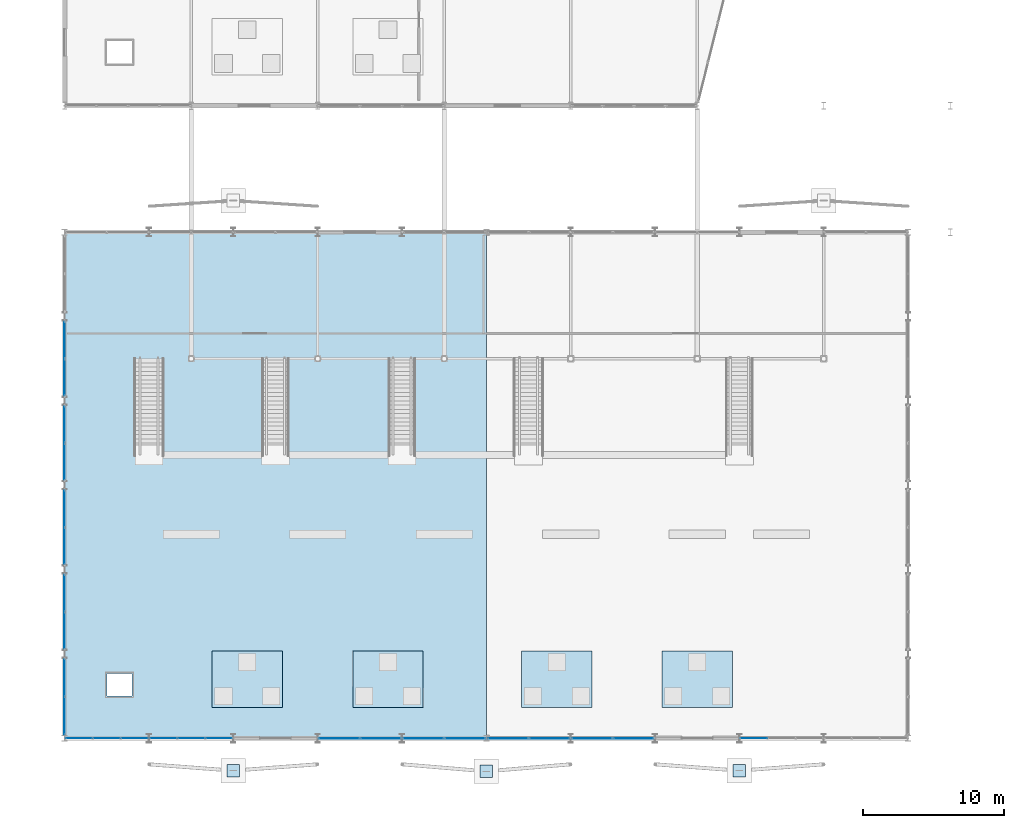
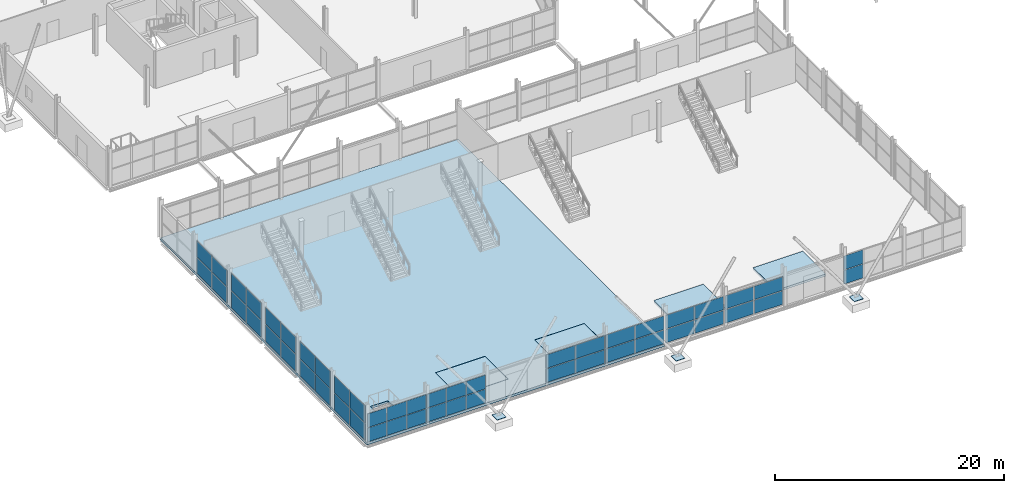
# One storey, part 101 of 140: 53 plates, 5 slabs, 12 elements without a shape of their own.
"""IFC4 building model written with IfcOpenShell, lengths in metres."""

from ifc_helpers import new_model, si_unit, direction, frame, origin, origin_2d, place, context, subcontext, project, spatial, polyline, rectangle, outline, extrude, material, layer, layer_set, type_object, element, aggregate, save


model = new_model("IFC4")

# Units and contexts
model_context = context("Model", 3, precision=1e-05, world=origin(), true_north=direction((0.0, 1.0)))
body_context = subcontext(model_context, "Body", "Model", "MODEL_VIEW")
ifc_project = project(units=[si_unit("LENGTHUNIT", "METRE"), si_unit("AREAUNIT", "SQUARE_METRE"), si_unit("VOLUMEUNIT", "CUBIC_METRE"), si_unit("PLANEANGLEUNIT", "RADIAN"), si_unit("MASSUNIT", "GRAM", prefix="KILO")], contexts=[model_context])

# Site, building, storey
site_placement = place(None, origin())
site = spatial("IfcSite", under=ifc_project, at=site_placement, CompositionType="ELEMENT")
building_placement = place(site_placement, origin())
building = spatial("IfcBuilding", under=site, at=building_placement, Name="Deido Ridge Mobility Hub", CompositionType="ELEMENT")
storey_placement = place(building_placement, origin())
storey = spatial("IfcBuildingStorey", under=building, at=storey_placement, Name="L00", CompositionType="ELEMENT", Elevation=0.0)

# Curtain wall, plates
ifc_material_1 = material(Name="Anodised aluminium EN AW-6063 T6", Category="aluminium")
ifc_layer_1 = layer(ifc_material_1, 0.1650390625, Name="Anodised aluminium EN AW-6063 T6")
ifc_layer_set_1 = layer_set([ifc_layer_1], Name="Anodised aluminium EN AW-6063 T6")
curtain_wall_type_1 = type_object("IfcCurtainWallType", Name="CW-UF-1", PredefinedType="USERDEFINED", material=ifc_layer_set_1)
curtain_wall_1_placement = place(storey_placement, origin())
curtain_wall_1 = element("IfcCurtainWall", 1, at=curtain_wall_1_placement, inside=storey, type_object=curtain_wall_type_1, Name="Unitised curtain wall CW1", ObjectType="UNITISED FACADE", PredefinedType="USERDEFINED")
ifc_material_2 = material(Name="Laminated solar-control low-E glass", Category="glass")
ifc_layer_2 = layer(ifc_material_2, 0.02587890625, Name="Laminated solar-control low-E glass")
ifc_layer_set_2 = layer_set([ifc_layer_2], Name="Laminated solar-control low-E glass")
plate_type_1 = type_object("IfcPlateType", Name="PLT-CWP-26", PredefinedType="CURTAIN_PANEL", material=ifc_layer_set_2)
plate_1_placement = place(storey_placement, frame((1.021240234375, 0.0, 0.0498046875), z_axis=(0.0, 0.0, 1.0), x_axis=(1.0, 0.0, 0.0)))
plate_1 = element("IfcPlate", 2, at=plate_1_placement, type_object=plate_type_1, Name="CW1 panel 1.1", PredefinedType="CURTAIN_PANEL", context=body_context, shape_type="SweptSolid", body=[
    extrude(rectangle(XDim=1.91845703125, YDim=0.02587890625, at=origin_2d()), origin(), (0.0, 0.0, 1.0), 1.467529296875),
])
plate_2_placement = place(storey_placement, frame((1.021240234375, 0.0, 1.5673828125), z_axis=(0.0, 0.0, 1.0), x_axis=(1.0, 0.0, 0.0)))
plate_2 = element("IfcPlate", 3, at=plate_2_placement, type_object=plate_type_1, Name="CW1 panel 1.2", PredefinedType="CURTAIN_PANEL", context=body_context, shape_type="SweptSolid", body=[
    extrude(rectangle(XDim=1.91845703125, YDim=0.02587890625, at=origin_2d()), origin(), (0.0, 0.0, 1.0), 1.467529296875),
])
plate_3_placement = place(storey_placement, frame((3.002197265625, 0.0, 0.0498046875), z_axis=(0.0, 0.0, 1.0), x_axis=(1.0, 0.0, 0.0)))
plate_3 = element("IfcPlate", 4, at=plate_3_placement, type_object=plate_type_1, Name="CW1 panel 2.1", PredefinedType="CURTAIN_PANEL", context=body_context, shape_type="SweptSolid", body=[
    extrude(rectangle(XDim=1.943359375, YDim=0.02587890625, at=origin_2d()), origin(), (0.0, 0.0, 1.0), 1.467529296875),
])
plate_4_placement = place(storey_placement, frame((3.002197265625, 0.0, 1.5673828125), z_axis=(0.0, 0.0, 1.0), x_axis=(1.0, 0.0, 0.0)))
plate_4 = element("IfcPlate", 5, at=plate_4_placement, type_object=plate_type_1, Name="CW1 panel 2.2", PredefinedType="CURTAIN_PANEL", context=body_context, shape_type="SweptSolid", body=[
    extrude(rectangle(XDim=1.943359375, YDim=0.02587890625, at=origin_2d()), origin(), (0.0, 0.0, 1.0), 1.467529296875),
])
plate_5_placement = place(storey_placement, frame((4.983154296875, 0.0, 0.0498046875), z_axis=(0.0, 0.0, 1.0), x_axis=(1.0, 0.0, 0.0)))
plate_5 = element("IfcPlate", 6, at=plate_5_placement, type_object=plate_type_1, Name="CW1 panel 3.1", PredefinedType="CURTAIN_PANEL", context=body_context, shape_type="SweptSolid", body=[
    extrude(rectangle(XDim=1.91845703125, YDim=0.02587890625, at=origin_2d()), origin(), (0.0, 0.0, 1.0), 1.467529296875),
])
plate_6_placement = place(storey_placement, frame((4.983154296875, 0.0, 1.5673828125), z_axis=(0.0, 0.0, 1.0), x_axis=(1.0, 0.0, 0.0)))
plate_6 = element("IfcPlate", 7, at=plate_6_placement, type_object=plate_type_1, Name="CW1 panel 3.2", PredefinedType="CURTAIN_PANEL", context=body_context, shape_type="SweptSolid", body=[
    extrude(rectangle(XDim=1.91845703125, YDim=0.02587890625, at=origin_2d()), origin(), (0.0, 0.0, 1.0), 1.467529296875),
])
aggregate(curtain_wall_1, [plate_1, plate_2, plate_3, plate_4, plate_5, plate_6])

curtain_wall_2_placement = place(storey_placement, origin())
curtain_wall_2 = element("IfcCurtainWall", 8, at=curtain_wall_2_placement, inside=storey, type_object=curtain_wall_type_1, Name="Unitised curtain wall CW1", ObjectType="UNITISED FACADE", PredefinedType="USERDEFINED")
plate_7_placement = place(storey_placement, frame((49.017578125, 0.0, 0.050048828125), z_axis=(0.0, 0.0, 1.0), x_axis=(1.0, 0.0, 0.0)))
plate_7 = element("IfcPlate", 9, at=plate_7_placement, type_object=plate_type_1, Name="CW1 panel 1.1", PredefinedType="CURTAIN_PANEL", context=body_context, shape_type="SweptSolid", body=[
    extrude(rectangle(XDim=1.919921875, YDim=0.02587890625, at=origin_2d()), origin(), (0.0, 0.0, 1.0), 1.47509765625),
])
plate_8_placement = place(storey_placement, frame((49.017578125, 0.0, 1.574951171875), z_axis=(0.0, 0.0, 1.0), x_axis=(1.0, 0.0, 0.0)))
plate_8 = element("IfcPlate", 10, at=plate_8_placement, type_object=plate_type_1, Name="CW1 panel 1.2", PredefinedType="CURTAIN_PANEL", context=body_context, shape_type="SweptSolid", body=[
    extrude(rectangle(XDim=1.919921875, YDim=0.02587890625, at=origin_2d()), origin(), (0.0, 0.0, 1.0), 1.47509765625),
])
aggregate(curtain_wall_2, [plate_7, plate_8])

ifc_layer_3 = layer(ifc_material_1, 0.179931640625, Name="Anodised aluminium EN AW-6063 T6")
ifc_layer_set_3 = layer_set([ifc_layer_3], Name="Anodised aluminium EN AW-6063 T6")
curtain_wall_type_2 = type_object("IfcCurtainWallType", Name="CW-UF-2", PredefinedType="USERDEFINED", material=ifc_layer_set_3)
curtain_wall_3_placement = place(storey_placement, origin())
curtain_wall_3 = element("IfcCurtainWall", 11, at=curtain_wall_3_placement, inside=storey, type_object=curtain_wall_type_2, Name="Unitised curtain wall CW2", ObjectType="UNITISED FACADE", PredefinedType="USERDEFINED")
ifc_layer_4 = layer(ifc_material_2, 0.029052734375, Name="Laminated solar-control low-E glass")
ifc_layer_set_4 = layer_set([ifc_layer_4], Name="Laminated solar-control low-E glass")
plate_type_2 = type_object("IfcPlateType", Name="PLT-CWP-29", PredefinedType="CURTAIN_PANEL", material=ifc_layer_set_4)
plate_9_placement = place(storey_placement, frame((7.018798828125, 0.0, 0.054931640625), z_axis=(0.0, 0.0, 1.0), x_axis=(1.0, 0.0, 0.0)))
plate_9 = element("IfcPlate", 12, at=plate_9_placement, type_object=plate_type_2, Name="CW2 panel 1.1", PredefinedType="CURTAIN_PANEL", context=body_context, shape_type="SweptSolid", body=[
    extrude(rectangle(XDim=1.912353515625, YDim=0.029052734375, at=origin_2d()), origin(), (0.0, 0.0, 1.0), 1.4599609375),
])
plate_10_placement = place(storey_placement, frame((7.018798828125, 0.0, 1.570068359375), z_axis=(0.0, 0.0, 1.0), x_axis=(1.0, 0.0, 0.0)))
plate_10 = element("IfcPlate", 13, at=plate_10_placement, type_object=plate_type_2, Name="CW2 panel 1.2", PredefinedType="CURTAIN_PANEL", context=body_context, shape_type="SweptSolid", body=[
    extrude(rectangle(XDim=1.912353515625, YDim=0.029052734375, at=origin_2d()), origin(), (0.0, 0.0, 1.0), 1.4599609375),
])
plate_11_placement = place(storey_placement, frame((9.0, 0.0, 0.054931640625), z_axis=(0.0, 0.0, 1.0), x_axis=(1.0, 0.0, 0.0)))
plate_11 = element("IfcPlate", 14, at=plate_11_placement, type_object=plate_type_2, Name="CW2 panel 2.1", PredefinedType="CURTAIN_PANEL", context=body_context, shape_type="SweptSolid", body=[
    extrude(rectangle(XDim=1.93994140625, YDim=0.029052734375, at=origin_2d()), origin(), (0.0, 0.0, 1.0), 1.4599609375),
])
plate_12_placement = place(storey_placement, frame((9.0, 0.0, 1.570068359375), z_axis=(0.0, 0.0, 1.0), x_axis=(1.0, 0.0, 0.0)))
plate_12 = element("IfcPlate", 15, at=plate_12_placement, type_object=plate_type_2, Name="CW2 panel 2.2", PredefinedType="CURTAIN_PANEL", context=body_context, shape_type="SweptSolid", body=[
    extrude(rectangle(XDim=1.93994140625, YDim=0.029052734375, at=origin_2d()), origin(), (0.0, 0.0, 1.0), 1.4599609375),
])
plate_13_placement = place(storey_placement, frame((10.981201171875, 0.0, 0.054931640625), z_axis=(0.0, 0.0, 1.0), x_axis=(1.0, 0.0, 0.0)))
plate_13 = element("IfcPlate", 16, at=plate_13_placement, type_object=plate_type_2, Name="CW2 panel 3.1", PredefinedType="CURTAIN_PANEL", context=body_context, shape_type="SweptSolid", body=[
    extrude(rectangle(XDim=1.912353515625, YDim=0.029052734375, at=origin_2d()), origin(), (0.0, 0.0, 1.0), 1.4599609375),
])
plate_14_placement = place(storey_placement, frame((10.981201171875, 0.0, 1.570068359375), z_axis=(0.0, 0.0, 1.0), x_axis=(1.0, 0.0, 0.0)))
plate_14 = element("IfcPlate", 17, at=plate_14_placement, type_object=plate_type_2, Name="CW2 panel 3.2", PredefinedType="CURTAIN_PANEL", context=body_context, shape_type="SweptSolid", body=[
    extrude(rectangle(XDim=1.912353515625, YDim=0.029052734375, at=origin_2d()), origin(), (0.0, 0.0, 1.0), 1.4599609375),
])
aggregate(curtain_wall_3, [plate_9, plate_10, plate_11, plate_12, plate_13, plate_14])

ifc_layer_5 = layer(ifc_material_1, 0.2099609375, Name="Anodised aluminium EN AW-6063 T6")
ifc_layer_set_5 = layer_set([ifc_layer_5], Name="Anodised aluminium EN AW-6063 T6")
curtain_wall_type_3 = type_object("IfcCurtainWallType", Name="CW-UF-4", PredefinedType="USERDEFINED", material=ifc_layer_set_5)
curtain_wall_4_placement = place(storey_placement, origin())
curtain_wall_4 = element("IfcCurtainWall", 18, at=curtain_wall_4_placement, inside=storey, type_object=curtain_wall_type_3, Name="Unitised curtain wall CW4", ObjectType="UNITISED FACADE", PredefinedType="USERDEFINED")
ifc_layer_6 = layer(ifc_material_2, 0.031005859375, Name="Laminated solar-control low-E glass")
ifc_layer_set_6 = layer_set([ifc_layer_6], Name="Laminated solar-control low-E glass")
plate_type_3 = type_object("IfcPlateType", Name="PLT-CWP-31", PredefinedType="CURTAIN_PANEL", material=ifc_layer_set_6)
plate_15_placement = place(storey_placement, frame((0.0, 1.595947265625, 0.06005859375), z_axis=(0.0, 0.0, 1.0), x_axis=(0.0, 1.0, 0.0)))
plate_15 = element("IfcPlate", 19, at=plate_15_placement, type_object=plate_type_3, Name="CW4 panel 1.1", PredefinedType="CURTAIN_PANEL", context=body_context, shape_type="SweptSolid", body=[
    extrude(rectangle(XDim=2.656005859375, YDim=0.031005859375, at=origin_2d()), origin(), (0.0, 0.0, 1.0), 1.81005859375),
])
plate_16_placement = place(storey_placement, frame((0.0, 1.595947265625, 1.929931640625), z_axis=(0.0, 0.0, 1.0), x_axis=(0.0, 1.0, 0.0)))
plate_16 = element("IfcPlate", 20, at=plate_16_placement, type_object=plate_type_3, Name="CW4 panel 1.2", PredefinedType="CURTAIN_PANEL", context=body_context, shape_type="SweptSolid", body=[
    extrude(rectangle(XDim=2.656005859375, YDim=0.031005859375, at=origin_2d()), origin(), (0.0, 0.0, 1.0), 1.81005859375),
])
plate_17_placement = place(storey_placement, frame((0.0, 4.31201171875, 0.06005859375), z_axis=(0.0, 0.0, 1.0), x_axis=(0.0, 1.0, 0.0)))
plate_17 = element("IfcPlate", 21, at=plate_17_placement, type_object=plate_type_3, Name="CW4 panel 2.1", PredefinedType="CURTAIN_PANEL", context=body_context, shape_type="SweptSolid", body=[
    extrude(rectangle(XDim=2.656005859375, YDim=0.031005859375, at=origin_2d()), origin(), (0.0, 0.0, 1.0), 1.81005859375),
])
plate_18_placement = place(storey_placement, frame((0.0, 4.31201171875, 1.929931640625), z_axis=(0.0, 0.0, 1.0), x_axis=(0.0, 1.0, 0.0)))
plate_18 = element("IfcPlate", 22, at=plate_18_placement, type_object=plate_type_3, Name="CW4 panel 2.2", PredefinedType="CURTAIN_PANEL", context=body_context, shape_type="SweptSolid", body=[
    extrude(rectangle(XDim=2.656005859375, YDim=0.031005859375, at=origin_2d()), origin(), (0.0, 0.0, 1.0), 1.81005859375),
])
aggregate(curtain_wall_4, [plate_15, plate_16, plate_17, plate_18])

curtain_wall_5_placement = place(storey_placement, origin())
curtain_wall_5 = element("IfcCurtainWall", 23, at=curtain_wall_5_placement, inside=storey, type_object=curtain_wall_type_3, Name="Unitised curtain wall CW4", ObjectType="UNITISED FACADE", PredefinedType="USERDEFINED")
ifc_layer_7 = layer(ifc_material_2, 0.032958984375, Name="Laminated solar-control low-E glass")
ifc_layer_set_7 = layer_set([ifc_layer_7], Name="Laminated solar-control low-E glass")
plate_type_4 = type_object("IfcPlateType", Name="PLT-CWP-33", PredefinedType="CURTAIN_PANEL", material=ifc_layer_set_7)
plate_19_placement = place(storey_placement, frame((19.520263671875, 0.0, 0.06494140625), z_axis=(0.0, 0.0, 1.0), x_axis=(1.0, 0.0, 0.0)))
plate_19 = element("IfcPlate", 24, at=plate_19_placement, type_object=plate_type_4, Name="CW4 panel 1.1", PredefinedType="CURTAIN_PANEL", context=body_context, shape_type="SweptSolid", body=[
    extrude(rectangle(XDim=2.894775390625, YDim=0.032958984375, at=origin_2d()), origin(), (0.0, 0.0, 1.0), 1.445068359375),
])
plate_20_placement = place(storey_placement, frame((19.520263671875, 0.0, 1.5751953125), z_axis=(0.0, 0.0, 1.0), x_axis=(1.0, 0.0, 0.0)))
plate_20 = element("IfcPlate", 25, at=plate_20_placement, type_object=plate_type_4, Name="CW4 panel 1.2", PredefinedType="CURTAIN_PANEL", context=body_context, shape_type="SweptSolid", body=[
    extrude(rectangle(XDim=2.894775390625, YDim=0.032958984375, at=origin_2d()), origin(), (0.0, 0.0, 1.0), 1.445068359375),
])
plate_21_placement = place(storey_placement, frame((22.479736328125, 0.0, 0.06494140625), z_axis=(0.0, 0.0, 1.0), x_axis=(1.0, 0.0, 0.0)))
plate_21 = element("IfcPlate", 26, at=plate_21_placement, type_object=plate_type_4, Name="CW4 panel 2.1", PredefinedType="CURTAIN_PANEL", context=body_context, shape_type="SweptSolid", body=[
    extrude(rectangle(XDim=2.894775390625, YDim=0.032958984375, at=origin_2d()), origin(), (0.0, 0.0, 1.0), 1.445068359375),
])
plate_22_placement = place(storey_placement, frame((22.479736328125, 0.0, 1.5751953125), z_axis=(0.0, 0.0, 1.0), x_axis=(1.0, 0.0, 0.0)))
plate_22 = element("IfcPlate", 27, at=plate_22_placement, type_object=plate_type_4, Name="CW4 panel 2.2", PredefinedType="CURTAIN_PANEL", context=body_context, shape_type="SweptSolid", body=[
    extrude(rectangle(XDim=2.894775390625, YDim=0.032958984375, at=origin_2d()), origin(), (0.0, 0.0, 1.0), 1.445068359375),
])
aggregate(curtain_wall_5, [plate_19, plate_20, plate_21, plate_22])

ifc_layer_8 = layer(ifc_material_1, 0.22509765625, Name="Anodised aluminium EN AW-6063 T6")
ifc_layer_set_8 = layer_set([ifc_layer_8], Name="Anodised aluminium EN AW-6063 T6")
curtain_wall_type_4 = type_object("IfcCurtainWallType", Name="CW-UF-5", PredefinedType="USERDEFINED", material=ifc_layer_set_8)
curtain_wall_6_placement = place(storey_placement, origin())
curtain_wall_6 = element("IfcCurtainWall", 28, at=curtain_wall_6_placement, inside=storey, type_object=curtain_wall_type_4, Name="Unitised curtain wall CW5", ObjectType="UNITISED FACADE", PredefinedType="USERDEFINED")
plate_23_placement = place(storey_placement, frame((0.0, 7.666259765625, 0.06494140625), z_axis=(0.0, 0.0, 1.0), x_axis=(0.0, 1.0, 0.0)))
plate_23 = element("IfcPlate", 29, at=plate_23_placement, type_object=plate_type_4, Name="CW5 panel 1.1", PredefinedType="CURTAIN_PANEL", context=body_context, shape_type="SweptSolid", body=[
    extrude(rectangle(XDim=2.6025390625, YDim=0.032958984375, at=origin_2d()), origin(), (0.0, 0.0, 1.0), 1.802490234375),
])
plate_24_placement = place(storey_placement, frame((0.0, 7.666259765625, 1.9326171875), z_axis=(0.0, 0.0, 1.0), x_axis=(0.0, 1.0, 0.0)))
plate_24 = element("IfcPlate", 30, at=plate_24_placement, type_object=plate_type_4, Name="CW5 panel 1.2", PredefinedType="CURTAIN_PANEL", context=body_context, shape_type="SweptSolid", body=[
    extrude(rectangle(XDim=2.6025390625, YDim=0.032958984375, at=origin_2d()), origin(), (0.0, 0.0, 1.0), 1.802490234375),
])
plate_25_placement = place(storey_placement, frame((0.0, 10.333740234375, 0.06494140625), z_axis=(0.0, 0.0, 1.0), x_axis=(0.0, 1.0, 0.0)))
plate_25 = element("IfcPlate", 31, at=plate_25_placement, type_object=plate_type_4, Name="CW5 panel 2.1", PredefinedType="CURTAIN_PANEL", context=body_context, shape_type="SweptSolid", body=[
    extrude(rectangle(XDim=2.6025390625, YDim=0.032958984375, at=origin_2d()), origin(), (0.0, 0.0, 1.0), 1.802490234375),
])
plate_26_placement = place(storey_placement, frame((0.0, 10.333740234375, 1.9326171875), z_axis=(0.0, 0.0, 1.0), x_axis=(0.0, 1.0, 0.0)))
plate_26 = element("IfcPlate", 32, at=plate_26_placement, type_object=plate_type_4, Name="CW5 panel 2.2", PredefinedType="CURTAIN_PANEL", context=body_context, shape_type="SweptSolid", body=[
    extrude(rectangle(XDim=2.6025390625, YDim=0.032958984375, at=origin_2d()), origin(), (0.0, 0.0, 1.0), 1.802490234375),
])
aggregate(curtain_wall_6, [plate_23, plate_24, plate_25, plate_26])

curtain_wall_7_placement = place(storey_placement, origin())
curtain_wall_7 = element("IfcCurtainWall", 33, at=curtain_wall_7_placement, inside=storey, type_object=curtain_wall_type_4, Name="Unitised curtain wall CW5", ObjectType="UNITISED FACADE", PredefinedType="USERDEFINED")
ifc_layer_9 = layer(ifc_material_2, 0.034912109375, Name="Laminated solar-control low-E glass")
ifc_layer_set_9 = layer_set([ifc_layer_9], Name="Laminated solar-control low-E glass")
plate_type_5 = type_object("IfcPlateType", Name="PLT-CWP-35", PredefinedType="CURTAIN_PANEL", material=ifc_layer_set_9)
plate_27_placement = place(storey_placement, frame((25.520263671875, 0.0, 0.06982421875), z_axis=(0.0, 0.0, 1.0), x_axis=(1.0, 0.0, 0.0)))
plate_27 = element("IfcPlate", 34, at=plate_27_placement, type_object=plate_type_5, Name="CW5 panel 1.1", PredefinedType="CURTAIN_PANEL", context=body_context, shape_type="SweptSolid", body=[
    extrude(rectangle(XDim=2.885009765625, YDim=0.034912109375, at=origin_2d()), origin(), (0.0, 0.0, 1.0), 1.445068359375),
])
plate_28_placement = place(storey_placement, frame((25.520263671875, 0.0, 1.5849609375), z_axis=(0.0, 0.0, 1.0), x_axis=(1.0, 0.0, 0.0)))
plate_28 = element("IfcPlate", 35, at=plate_28_placement, type_object=plate_type_5, Name="CW5 panel 1.2", PredefinedType="CURTAIN_PANEL", context=body_context, shape_type="SweptSolid", body=[
    extrude(rectangle(XDim=2.885009765625, YDim=0.034912109375, at=origin_2d()), origin(), (0.0, 0.0, 1.0), 1.445068359375),
])
plate_29_placement = place(storey_placement, frame((28.475341796875, 0.0, 0.06982421875), z_axis=(0.0, 0.0, 1.0), x_axis=(1.0, 0.0, 0.0)))
plate_29 = element("IfcPlate", 36, at=plate_29_placement, type_object=plate_type_5, Name="CW5 panel 2.1", PredefinedType="CURTAIN_PANEL", context=body_context, shape_type="SweptSolid", body=[
    extrude(rectangle(XDim=2.885009765625, YDim=0.034912109375, at=origin_2d()), origin(), (0.0, 0.0, 1.0), 1.445068359375),
])
plate_30_placement = place(storey_placement, frame((28.475341796875, 0.0, 1.5849609375), z_axis=(0.0, 0.0, 1.0), x_axis=(1.0, 0.0, 0.0)))
plate_30 = element("IfcPlate", 37, at=plate_30_placement, type_object=plate_type_5, Name="CW5 panel 2.2", PredefinedType="CURTAIN_PANEL", context=body_context, shape_type="SweptSolid", body=[
    extrude(rectangle(XDim=2.885009765625, YDim=0.034912109375, at=origin_2d()), origin(), (0.0, 0.0, 1.0), 1.445068359375),
])
aggregate(curtain_wall_7, [plate_27, plate_28, plate_29, plate_30])

ifc_layer_10 = layer(ifc_material_1, 0.239990234375, Name="Anodised aluminium EN AW-6063 T6")
ifc_layer_set_10 = layer_set([ifc_layer_10], Name="Anodised aluminium EN AW-6063 T6")
curtain_wall_type_5 = type_object("IfcCurtainWallType", Name="CW-UF-6", PredefinedType="USERDEFINED", material=ifc_layer_set_10)
curtain_wall_8_placement = place(storey_placement, origin())
curtain_wall_8 = element("IfcCurtainWall", 38, at=curtain_wall_8_placement, inside=storey, type_object=curtain_wall_type_5, Name="Unitised curtain wall CW6", ObjectType="UNITISED FACADE", PredefinedType="USERDEFINED")
plate_31_placement = place(storey_placement, frame((0.0, 13.66748046875, 0.070068359375), z_axis=(0.0, 0.0, 1.0), x_axis=(0.0, 1.0, 0.0)))
plate_31 = element("IfcPlate", 39, at=plate_31_placement, type_object=plate_type_5, Name="CW6 panel 1.1", PredefinedType="CURTAIN_PANEL", context=body_context, shape_type="SweptSolid", body=[
    extrude(rectangle(XDim=2.594970703125, YDim=0.034912109375, at=origin_2d()), origin(), (0.0, 0.0, 1.0), 1.794921875),
])
plate_32_placement = place(storey_placement, frame((0.0, 13.66748046875, 1.93505859375), z_axis=(0.0, 0.0, 1.0), x_axis=(0.0, 1.0, 0.0)))
plate_32 = element("IfcPlate", 40, at=plate_32_placement, type_object=plate_type_5, Name="CW6 panel 1.2", PredefinedType="CURTAIN_PANEL", context=body_context, shape_type="SweptSolid", body=[
    extrude(rectangle(XDim=2.594970703125, YDim=0.034912109375, at=origin_2d()), origin(), (0.0, 0.0, 1.0), 1.794921875),
])
plate_33_placement = place(storey_placement, frame((0.0, 16.33251953125, 0.070068359375), z_axis=(0.0, 0.0, 1.0), x_axis=(0.0, 1.0, 0.0)))
plate_33 = element("IfcPlate", 41, at=plate_33_placement, type_object=plate_type_5, Name="CW6 panel 2.1", PredefinedType="CURTAIN_PANEL", context=body_context, shape_type="SweptSolid", body=[
    extrude(rectangle(XDim=2.594970703125, YDim=0.034912109375, at=origin_2d()), origin(), (0.0, 0.0, 1.0), 1.794921875),
])
plate_34_placement = place(storey_placement, frame((0.0, 16.33251953125, 1.93505859375), z_axis=(0.0, 0.0, 1.0), x_axis=(0.0, 1.0, 0.0)))
plate_34 = element("IfcPlate", 42, at=plate_34_placement, type_object=plate_type_5, Name="CW6 panel 2.2", PredefinedType="CURTAIN_PANEL", context=body_context, shape_type="SweptSolid", body=[
    extrude(rectangle(XDim=2.594970703125, YDim=0.034912109375, at=origin_2d()), origin(), (0.0, 0.0, 1.0), 1.794921875),
])
aggregate(curtain_wall_8, [plate_31, plate_32, plate_33, plate_34])

curtain_wall_9_placement = place(storey_placement, origin())
curtain_wall_9 = element("IfcCurtainWall", 43, at=curtain_wall_9_placement, inside=storey, type_object=curtain_wall_type_5, Name="Unitised curtain wall CW6", ObjectType="UNITISED FACADE", PredefinedType="USERDEFINED")
ifc_layer_11 = layer(ifc_material_2, 0.037109375, Name="Laminated solar-control low-E glass")
ifc_layer_set_11 = layer_set([ifc_layer_11], Name="Laminated solar-control low-E glass")
plate_type_6 = type_object("IfcPlateType", Name="PLT-CWP-37", PredefinedType="CURTAIN_PANEL", material=ifc_layer_set_11)
plate_35_placement = place(storey_placement, frame((31.52587890625, 0.0, 0.0751953125), z_axis=(0.0, 0.0, 1.0), x_axis=(1.0, 0.0, 0.0)))
plate_35 = element("IfcPlate", 44, at=plate_35_placement, type_object=plate_type_6, Name="CW6 panel 1.1", PredefinedType="CURTAIN_PANEL", context=body_context, shape_type="SweptSolid", body=[
    extrude(rectangle(XDim=2.877685546875, YDim=0.037109375, at=origin_2d()), origin(), (0.0, 0.0, 1.0), 1.429931640625),
])
plate_36_placement = place(storey_placement, frame((31.52587890625, 0.0, 1.580078125), z_axis=(0.0, 0.0, 1.0), x_axis=(1.0, 0.0, 0.0)))
plate_36 = element("IfcPlate", 45, at=plate_36_placement, type_object=plate_type_6, Name="CW6 panel 1.2", PredefinedType="CURTAIN_PANEL", context=body_context, shape_type="SweptSolid", body=[
    extrude(rectangle(XDim=2.877685546875, YDim=0.037109375, at=origin_2d()), origin(), (0.0, 0.0, 1.0), 1.429931640625),
])
plate_37_placement = place(storey_placement, frame((34.478515625, 0.0, 0.0751953125), z_axis=(0.0, 0.0, 1.0), x_axis=(1.0, 0.0, 0.0)))
plate_37 = element("IfcPlate", 46, at=plate_37_placement, type_object=plate_type_6, Name="CW6 panel 2.1", PredefinedType="CURTAIN_PANEL", context=body_context, shape_type="SweptSolid", body=[
    extrude(rectangle(XDim=2.877685546875, YDim=0.037109375, at=origin_2d()), origin(), (0.0, 0.0, 1.0), 1.429931640625),
])
plate_38_placement = place(storey_placement, frame((34.478515625, 0.0, 1.580078125), z_axis=(0.0, 0.0, 1.0), x_axis=(1.0, 0.0, 0.0)))
plate_38 = element("IfcPlate", 47, at=plate_38_placement, type_object=plate_type_6, Name="CW6 panel 2.2", PredefinedType="CURTAIN_PANEL", context=body_context, shape_type="SweptSolid", body=[
    extrude(rectangle(XDim=2.877685546875, YDim=0.037109375, at=origin_2d()), origin(), (0.0, 0.0, 1.0), 1.429931640625),
])
aggregate(curtain_wall_9, [plate_35, plate_36, plate_37, plate_38])

ifc_layer_12 = layer(ifc_material_1, 0.2548828125, Name="Anodised aluminium EN AW-6063 T6")
ifc_layer_set_12 = layer_set([ifc_layer_12], Name="Anodised aluminium EN AW-6063 T6")
curtain_wall_type_6 = type_object("IfcCurtainWallType", Name="CW-UF-7", PredefinedType="USERDEFINED", material=ifc_layer_set_12)
curtain_wall_10_placement = place(storey_placement, origin())
curtain_wall_10 = element("IfcCurtainWall", 48, at=curtain_wall_10_placement, inside=storey, type_object=curtain_wall_type_6, Name="Unitised curtain wall CW7", ObjectType="UNITISED FACADE", PredefinedType="USERDEFINED")
plate_39_placement = place(storey_placement, frame((0.0, 19.668701171875, 0.074951171875), z_axis=(0.0, 0.0, 1.0), x_axis=(0.0, 1.0, 0.0)))
plate_39 = element("IfcPlate", 49, at=plate_39_placement, type_object=plate_type_6, Name="CW7 panel 1.1", PredefinedType="CURTAIN_PANEL", context=body_context, shape_type="SweptSolid", body=[
    extrude(rectangle(XDim=2.58740234375, YDim=0.037109375, at=origin_2d()), origin(), (0.0, 0.0, 1.0), 1.78759765625),
])
plate_40_placement = place(storey_placement, frame((0.0, 19.668701171875, 1.9375), z_axis=(0.0, 0.0, 1.0), x_axis=(0.0, 1.0, 0.0)))
plate_40 = element("IfcPlate", 50, at=plate_40_placement, type_object=plate_type_6, Name="CW7 panel 1.2", PredefinedType="CURTAIN_PANEL", context=body_context, shape_type="SweptSolid", body=[
    extrude(rectangle(XDim=2.58740234375, YDim=0.037109375, at=origin_2d()), origin(), (0.0, 0.0, 1.0), 1.78759765625),
])
plate_41_placement = place(storey_placement, frame((0.0, 22.331298828125, 0.074951171875), z_axis=(0.0, 0.0, 1.0), x_axis=(0.0, 1.0, 0.0)))
plate_41 = element("IfcPlate", 51, at=plate_41_placement, type_object=plate_type_6, Name="CW7 panel 2.1", PredefinedType="CURTAIN_PANEL", context=body_context, shape_type="SweptSolid", body=[
    extrude(rectangle(XDim=2.58740234375, YDim=0.037109375, at=origin_2d()), origin(), (0.0, 0.0, 1.0), 1.78759765625),
])
plate_42_placement = place(storey_placement, frame((0.0, 22.331298828125, 1.9375), z_axis=(0.0, 0.0, 1.0), x_axis=(0.0, 1.0, 0.0)))
plate_42 = element("IfcPlate", 52, at=plate_42_placement, type_object=plate_type_6, Name="CW7 panel 2.2", PredefinedType="CURTAIN_PANEL", context=body_context, shape_type="SweptSolid", body=[
    extrude(rectangle(XDim=2.58740234375, YDim=0.037109375, at=origin_2d()), origin(), (0.0, 0.0, 1.0), 1.78759765625),
])
aggregate(curtain_wall_10, [plate_39, plate_40, plate_41, plate_42])

curtain_wall_11_placement = place(storey_placement, origin())
curtain_wall_11 = element("IfcCurtainWall", 53, at=curtain_wall_11_placement, inside=storey, type_object=curtain_wall_type_6, Name="Unitised curtain wall CW7", ObjectType="UNITISED FACADE", PredefinedType="USERDEFINED")
ifc_layer_13 = layer(ifc_material_2, 0.0390625, Name="Laminated solar-control low-E glass")
ifc_layer_set_13 = layer_set([ifc_layer_13], Name="Laminated solar-control low-E glass")
plate_type_7 = type_object("IfcPlateType", Name="PLT-CWP-39", PredefinedType="CURTAIN_PANEL", material=ifc_layer_set_13)
plate_43_placement = place(storey_placement, frame((37.52392578125, 0.0, 0.080078125), z_axis=(0.0, 0.0, 1.0), x_axis=(1.0, 0.0, 0.0)))
plate_43 = element("IfcPlate", 54, at=plate_43_placement, type_object=plate_type_7, Name="CW7 panel 1.1", PredefinedType="CURTAIN_PANEL", context=body_context, shape_type="SweptSolid", body=[
    extrude(rectangle(XDim=2.872314453125, YDim=0.0390625, at=origin_2d()), origin(), (0.0, 0.0, 1.0), 1.422607421875),
])
plate_44_placement = place(storey_placement, frame((37.52392578125, 0.0, 1.58251953125), z_axis=(0.0, 0.0, 1.0), x_axis=(1.0, 0.0, 0.0)))
plate_44 = element("IfcPlate", 55, at=plate_44_placement, type_object=plate_type_7, Name="CW7 panel 1.2", PredefinedType="CURTAIN_PANEL", context=body_context, shape_type="SweptSolid", body=[
    extrude(rectangle(XDim=2.872314453125, YDim=0.0390625, at=origin_2d()), origin(), (0.0, 0.0, 1.0), 1.422607421875),
])
plate_45_placement = place(storey_placement, frame((40.47607421875, 0.0, 0.080078125), z_axis=(0.0, 0.0, 1.0), x_axis=(1.0, 0.0, 0.0)))
plate_45 = element("IfcPlate", 56, at=plate_45_placement, type_object=plate_type_7, Name="CW7 panel 2.1", PredefinedType="CURTAIN_PANEL", context=body_context, shape_type="SweptSolid", body=[
    extrude(rectangle(XDim=2.872314453125, YDim=0.0390625, at=origin_2d()), origin(), (0.0, 0.0, 1.0), 1.422607421875),
])
plate_46_placement = place(storey_placement, frame((40.47607421875, 0.0, 1.58251953125), z_axis=(0.0, 0.0, 1.0), x_axis=(1.0, 0.0, 0.0)))
plate_46 = element("IfcPlate", 57, at=plate_46_placement, type_object=plate_type_7, Name="CW7 panel 2.2", PredefinedType="CURTAIN_PANEL", context=body_context, shape_type="SweptSolid", body=[
    extrude(rectangle(XDim=2.872314453125, YDim=0.0390625, at=origin_2d()), origin(), (0.0, 0.0, 1.0), 1.422607421875),
])
aggregate(curtain_wall_11, [plate_43, plate_44, plate_45, plate_46])

ifc_layer_14 = layer(ifc_material_1, 0.27001953125, Name="Anodised aluminium EN AW-6063 T6")
ifc_layer_set_14 = layer_set([ifc_layer_14], Name="Anodised aluminium EN AW-6063 T6")
curtain_wall_type_7 = type_object("IfcCurtainWallType", Name="CW-UF-8", PredefinedType="USERDEFINED", material=ifc_layer_set_14)
curtain_wall_12_placement = place(storey_placement, origin())
curtain_wall_12 = element("IfcCurtainWall", 58, at=curtain_wall_12_placement, inside=storey, type_object=curtain_wall_type_7, Name="Unitised curtain wall CW8", ObjectType="UNITISED FACADE", PredefinedType="USERDEFINED")
plate_47_placement = place(storey_placement, frame((0.0, 25.669921875, 0.080078125), z_axis=(0.0, 0.0, 1.0), x_axis=(0.0, 1.0, 0.0)))
plate_47 = element("IfcPlate", 59, at=plate_47_placement, type_object=plate_type_7, Name="CW8 panel 1.1", PredefinedType="CURTAIN_PANEL", context=body_context, shape_type="SweptSolid", body=[
    extrude(rectangle(XDim=2.580078125, YDim=0.0390625, at=origin_2d()), origin(), (0.0, 0.0, 1.0), 1.6923828125),
])
plate_48_placement = place(storey_placement, frame((0.0, 25.669921875, 1.8525390625), z_axis=(0.0, 0.0, 1.0), x_axis=(0.0, 1.0, 0.0)))
plate_48 = element("IfcPlate", 60, at=plate_48_placement, type_object=plate_type_7, Name="CW8 panel 1.2", PredefinedType="CURTAIN_PANEL", context=body_context, shape_type="SweptSolid", body=[
    extrude(rectangle(XDim=2.580078125, YDim=0.0390625, at=origin_2d()), origin(), (0.0, 0.0, 1.0), 1.6923828125),
])
plate_49_placement = place(storey_placement, frame((0.0, 28.330078125, 0.080078125), z_axis=(0.0, 0.0, 1.0), x_axis=(0.0, 1.0, 0.0)))
plate_49 = element("IfcPlate", 61, at=plate_49_placement, type_object=plate_type_7, Name="CW8 panel 2.1", PredefinedType="CURTAIN_PANEL", context=body_context, shape_type="SweptSolid", body=[
    extrude(rectangle(XDim=2.580078125, YDim=0.0390625, at=origin_2d()), origin(), (0.0, 0.0, 1.0), 1.6923828125),
])
plate_50_placement = place(storey_placement, frame((0.0, 28.330078125, 1.8525390625), z_axis=(0.0, 0.0, 1.0), x_axis=(0.0, 1.0, 0.0)))
plate_50 = element("IfcPlate", 62, at=plate_50_placement, type_object=plate_type_7, Name="CW8 panel 2.2", PredefinedType="CURTAIN_PANEL", context=body_context, shape_type="SweptSolid", body=[
    extrude(rectangle(XDim=2.580078125, YDim=0.0390625, at=origin_2d()), origin(), (0.0, 0.0, 1.0), 1.6923828125),
])
aggregate(curtain_wall_12, [plate_47, plate_48, plate_49, plate_50])

# Plates
ifc_material_3 = material(Name="Steel S355J2 EN 10025-2", Category="steel")
ifc_layer_15 = layer(ifc_material_3, 0.0400390625, Name="Steel S355J2 EN 10025-2")
ifc_layer_set_15 = layer_set([ifc_layer_15], Name="Steel S355J2 EN 10025-2")
plate_type_8 = type_object("IfcPlateType", Name="PLT-SHT-40", PredefinedType="SHEET", material=ifc_layer_set_15)
for number, where, z_axis, x_axis, name in (
    (63, (12.0, -2.300048828125, 0.0), (0.0, 0.0, 1.0), (1.0, 0.0, 0.0), "Exoskeleton V-strut base plate BP2 99"),
    (64, (30.0, -2.35009765625, 0.0), (0.0, 0.0, 1.0), (1.0, 0.0, 0.0), "Exoskeleton V-strut base plate BP2 103"),
    (65, (48.0, -2.300048828125, 0.0), (0.0, 0.0, 1.0), (1.0, 0.0, 0.0), "Exoskeleton V-strut base plate BP2 107"),
):
    element("IfcPlate", number, at=place(storey_placement, frame(where, z_axis=z_axis, x_axis=x_axis)), inside=storey, type_object=plate_type_8, Name=name, PredefinedType="SHEET", context=body_context, shape_type="SweptSolid", body=[
        extrude(rectangle(XDim=0.89990234375, YDim=0.89990234375, at=origin_2d()), origin(), (0.0, 0.0, 1.0), 0.0400390625),
    ])

# Slabs
ifc_material_4 = material(Name="Concrete C40/50", Category="concrete")
ifc_layer_16 = layer(ifc_material_4, 0.22998046875, Name="Concrete C40/50")
ifc_layer_set_16 = layer_set([ifc_layer_16], Name="Concrete C40/50")
slab_type_1 = type_object("IfcSlabType", Name="SLB-APR-230", PredefinedType="USERDEFINED", material=ifc_layer_set_16)
slab_1_placement = place(storey_placement, frame((0.0, 0.0, -0.22998046875)))
element("IfcSlab", 66, at=slab_1_placement, inside=storey, type_object=slab_type_1, Name="Bus Concourse Bay 1 Threshold Apron Slab", ObjectType="APRON SLAB", PredefinedType="USERDEFINED", context=body_context, shape_type="SweptSolid", body=[
    extrude(outline(polyline([(10.5, 2.199951171875), (15.5, 2.199951171875), (15.5, 6.199951171875), (10.5, 6.199951171875), (10.5, 2.199951171875)])), origin(), (0.0, 0.0, 1.0), 0.22998046875),
])
slab_2_placement = place(storey_placement, frame((0.0, 0.0, -0.22998046875)))
element("IfcSlab", 67, at=slab_2_placement, inside=storey, type_object=slab_type_1, Name="Bus Concourse Bay 2 Threshold Apron Slab", ObjectType="APRON SLAB", PredefinedType="USERDEFINED", context=body_context, shape_type="SweptSolid", body=[
    extrude(outline(polyline([(20.5, 2.199951171875), (25.5, 2.199951171875), (25.5, 6.199951171875), (20.5, 6.199951171875), (20.5, 2.199951171875)])), origin(), (0.0, 0.0, 1.0), 0.22998046875),
])
slab_3_placement = place(storey_placement, frame((0.0, 0.0, -0.22998046875)))
element("IfcSlab", 68, at=slab_3_placement, inside=storey, type_object=slab_type_1, Name="Bus Concourse Bay 3 Threshold Apron Slab", ObjectType="APRON SLAB", PredefinedType="USERDEFINED", context=body_context, shape_type="SweptSolid", body=[
    extrude(outline(polyline([(32.5, 2.199951171875), (37.5, 2.199951171875), (37.5, 6.199951171875), (32.5, 6.199951171875), (32.5, 2.199951171875)])), origin(), (0.0, 0.0, 1.0), 0.22998046875),
])
slab_4_placement = place(storey_placement, frame((0.0, 0.0, -0.22998046875)))
element("IfcSlab", 69, at=slab_4_placement, inside=storey, type_object=slab_type_1, Name="Taxi Boarding Bay Threshold Apron Slab", ObjectType="APRON SLAB", PredefinedType="USERDEFINED", context=body_context, shape_type="SweptSolid", body=[
    extrude(outline(polyline([(42.5, 2.199951171875), (47.5, 2.199951171875), (47.5, 6.199951171875), (42.5, 6.199951171875), (42.5, 2.199951171875)])), origin(), (0.0, 0.0, 1.0), 0.22998046875),
])
ifc_material_5 = material(Name="Concrete C35/45", Category="concrete")
ifc_layer_17 = layer(ifc_material_5, 0.260009765625, Name="Concrete C35/45")
ifc_layer_set_17 = layer_set([ifc_layer_17], Name="Concrete C35/45")
slab_type_2 = type_object("IfcSlabType", Name="SLB-FLR-260", PredefinedType="FLOOR", material=ifc_layer_set_17)
slab_5_placement = place(storey_placement, frame((0.0, 0.0, -0.260009765625)))
element("IfcSlab", 70, at=slab_5_placement, inside=storey, type_object=slab_type_2, Name="L00 V1 structural deck 11", PredefinedType="FLOOR", context=body_context, shape_type="SweptSolid", body=[
    extrude(outline(polyline([(0.0, 36.0), (30.0, 36.0), (30.0, 0.0), (0.0, 0.0), (0.0, 36.0)]), holes=[polyline([(3.0, 3.0), (3.0, 4.60009765625), (4.800048828125, 4.60009765625), (4.800048828125, 3.0), (3.0, 3.0)]), polyline([(10.486083984375, 6.205810546875), (15.5, 6.215087890625), (15.514892578125, 2.199951171875), (10.5, 2.18505859375), (10.486083984375, 6.205810546875)]), polyline([(20.486083984375, 6.205810546875), (25.5, 6.215087890625), (25.514892578125, 2.199951171875), (20.5, 2.18505859375), (20.486083984375, 6.205810546875)])]), origin(), (0.0, 0.0, 1.0), 0.260009765625),
])

save(model, "model.ifc")
